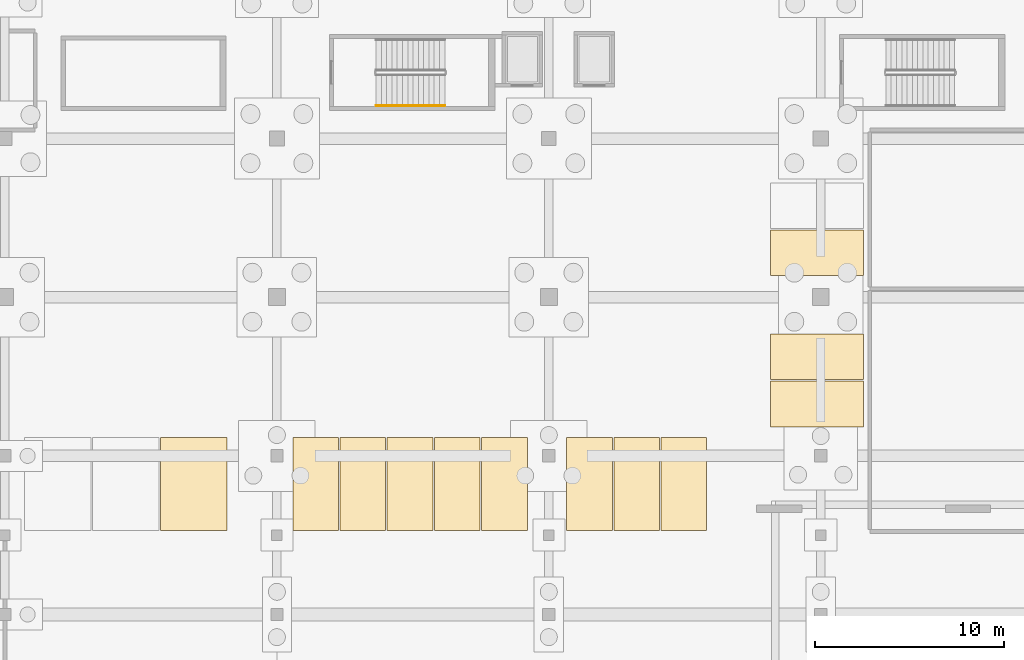
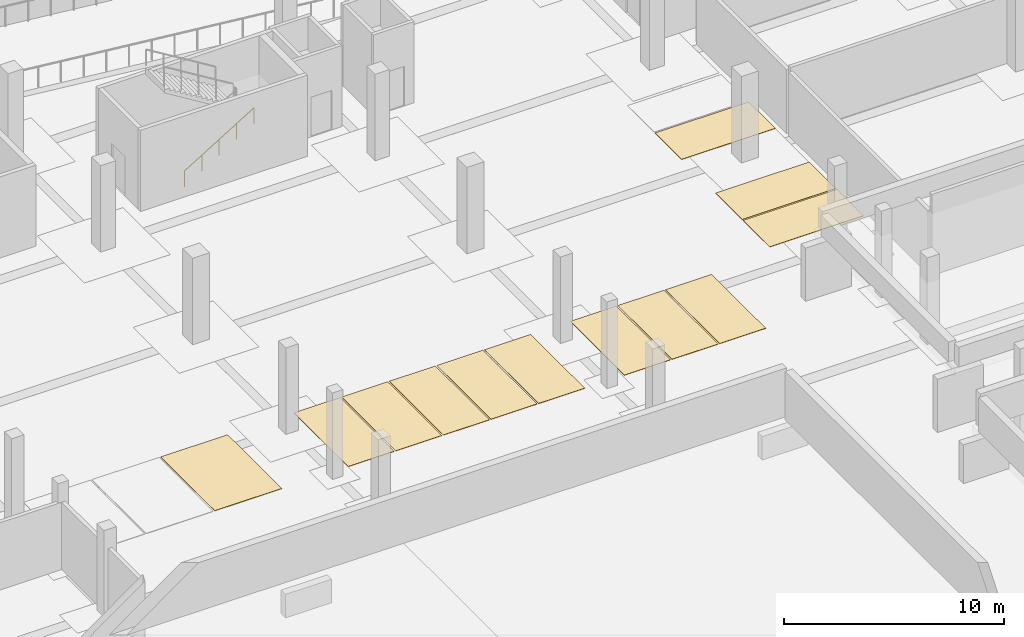
# One storey, part 22 of 26: 12 coverings, 1 railing.
"""IFC4 building model written with IfcOpenShell, lengths in metres."""

from ifc_helpers import new_model, si_unit, direction, frame, origin, origin_2d, place, context, subcontext, project, spatial, polyline, circle, outline, extrude, material, layer, layer_set, type_object, element, save


model = new_model("IFC4")

# Units and contexts
model_context = context("Model", 3, precision=1e-05, world=origin(), true_north=direction((0.0, 1.0)))
body_context = subcontext(model_context, "Body", "Model", "MODEL_VIEW")
ifc_project = project(units=[si_unit("LENGTHUNIT", "METRE"), si_unit("AREAUNIT", "SQUARE_METRE"), si_unit("VOLUMEUNIT", "CUBIC_METRE"), si_unit("PLANEANGLEUNIT", "RADIAN"), si_unit("MASSUNIT", "GRAM", prefix="KILO"), si_unit("THERMODYNAMICTEMPERATUREUNIT", "KELVIN")], contexts=[model_context])

# Site, building, storey
site_placement = place(None, origin())
site = spatial("IfcSite", under=ifc_project, at=site_placement, CompositionType="ELEMENT")
building_placement = place(site_placement, origin())
building = spatial("IfcBuilding", under=site, at=building_placement, Name="Nduvali Passage Aquatics Centre", CompositionType="ELEMENT")
storey_placement = place(building_placement, frame((0.0, 0.0, -4.800048828125)))
storey = spatial("IfcBuildingStorey", under=building, at=storey_placement, Name="B01", CompositionType="ELEMENT", Elevation=-4.800048828125)

# Coverings
ifc_material_1 = material(Name="Epoxy-painted accessible bay marking")
ifc_layer_1 = layer(ifc_material_1, 0.02197265625, Name="Epoxy-painted accessible bay marking")
ifc_layer_set_1 = layer_set([ifc_layer_1], Name="Epoxy-painted accessible bay marking")
covering_type_1 = type_object("IfcCoveringType", Name="INT-COV-PKACC", PredefinedType="USERDEFINED", material=ifc_layer_set_1)
covering_1_placement = place(storey_placement, origin())
element("IfcCovering", 1, at=covering_1_placement, inside=storey, type_object=covering_type_1, Name="B01 Accessible Parking Bay 03 (B01-AP03)", ObjectType="PARKING BAY", PredefinedType="USERDEFINED", context=body_context, shape_type="SweptSolid", body=[
    extrude(outline(polyline([(62.239990234375, 80.0400390625), (65.760009765625, 80.0400390625), (65.760009765625, 84.9599609375), (62.239990234375, 84.9599609375), (62.239990234375, 80.0400390625)])), origin(), (0.0, 0.0, 1.0), 0.02197265625),
])
ifc_material_2 = material(Name="Epoxy-painted concrete bay marking", Category="concrete")
ifc_layer_2 = layer(ifc_material_2, 0.02001953125, Name="Epoxy-painted concrete bay marking")
ifc_layer_set_2 = layer_set([ifc_layer_2], Name="Epoxy-painted concrete bay marking")
covering_type_2 = type_object("IfcCoveringType", Name="INT-COV-PKSTD", PredefinedType="USERDEFINED", material=ifc_layer_set_2)
covering_2_placement = place(storey_placement, origin())
element("IfcCovering", 2, at=covering_2_placement, inside=storey, type_object=covering_type_2, Name="B01 Parking Bay 06 (B01-PK06)", ObjectType="PARKING BAY", PredefinedType="USERDEFINED", context=body_context, shape_type="SweptSolid", body=[
    extrude(outline(polyline([(69.239990234375, 80.0400390625), (71.659912109375, 80.0400390625), (71.659912109375, 84.9599609375), (69.239990234375, 84.9599609375), (69.239990234375, 80.0400390625)])), origin(), (0.0, 0.0, 1.0), 0.02001953125),
])
covering_3_placement = place(storey_placement, origin())
element("IfcCovering", 3, at=covering_3_placement, inside=storey, type_object=covering_type_2, Name="B01 Parking Bay 07 (B01-PK07)", ObjectType="PARKING BAY", PredefinedType="USERDEFINED", context=body_context, shape_type="SweptSolid", body=[
    extrude(outline(polyline([(71.739990234375, 80.0400390625), (74.159912109375, 80.0400390625), (74.159912109375, 84.9599609375), (71.739990234375, 84.9599609375), (71.739990234375, 80.0400390625)])), origin(), (0.0, 0.0, 1.0), 0.02001953125),
])
covering_4_placement = place(storey_placement, origin())
element("IfcCovering", 4, at=covering_4_placement, inside=storey, type_object=covering_type_2, Name="B01 Parking Bay 08 (B01-PK08)", ObjectType="PARKING BAY", PredefinedType="USERDEFINED", context=body_context, shape_type="SweptSolid", body=[
    extrude(outline(polyline([(74.239990234375, 80.0400390625), (76.659912109375, 80.0400390625), (76.659912109375, 84.9599609375), (74.239990234375, 84.9599609375), (74.239990234375, 80.0400390625)])), origin(), (0.0, 0.0, 1.0), 0.02001953125),
])
covering_5_placement = place(storey_placement, origin())
element("IfcCovering", 5, at=covering_5_placement, inside=storey, type_object=covering_type_2, Name="B01 Parking Bay 09 (B01-PK09)", ObjectType="PARKING BAY", PredefinedType="USERDEFINED", context=body_context, shape_type="SweptSolid", body=[
    extrude(outline(polyline([(76.739990234375, 80.0400390625), (79.159912109375, 80.0400390625), (79.159912109375, 84.9599609375), (76.739990234375, 84.9599609375), (76.739990234375, 80.0400390625)])), origin(), (0.0, 0.0, 1.0), 0.02001953125),
])
covering_6_placement = place(storey_placement, origin())
element("IfcCovering", 6, at=covering_6_placement, inside=storey, type_object=covering_type_2, Name="B01 Parking Bay 10 (B01-PK10)", ObjectType="PARKING BAY", PredefinedType="USERDEFINED", context=body_context, shape_type="SweptSolid", body=[
    extrude(outline(polyline([(79.239990234375, 80.0400390625), (81.659912109375, 80.0400390625), (81.659912109375, 84.9599609375), (79.239990234375, 84.9599609375), (79.239990234375, 80.0400390625)])), origin(), (0.0, 0.0, 1.0), 0.02001953125),
])
covering_7_placement = place(storey_placement, origin())
element("IfcCovering", 7, at=covering_7_placement, inside=storey, type_object=covering_type_2, Name="B01 Parking Bay 11 (B01-PK11)", ObjectType="PARKING BAY", PredefinedType="USERDEFINED", context=body_context, shape_type="SweptSolid", body=[
    extrude(outline(polyline([(83.739990234375, 80.0400390625), (86.159912109375, 80.0400390625), (86.159912109375, 84.9599609375), (83.739990234375, 84.9599609375), (83.739990234375, 80.0400390625)])), origin(), (0.0, 0.0, 1.0), 0.02001953125),
])
covering_8_placement = place(storey_placement, origin())
element("IfcCovering", 8, at=covering_8_placement, inside=storey, type_object=covering_type_2, Name="B01 Parking Bay 12 (B01-PK12)", ObjectType="PARKING BAY", PredefinedType="USERDEFINED", context=body_context, shape_type="SweptSolid", body=[
    extrude(outline(polyline([(86.239990234375, 80.0400390625), (88.659912109375, 80.0400390625), (88.659912109375, 84.9599609375), (86.239990234375, 84.9599609375), (86.239990234375, 80.0400390625)])), origin(), (0.0, 0.0, 1.0), 0.02001953125),
])
covering_9_placement = place(storey_placement, origin())
element("IfcCovering", 9, at=covering_9_placement, inside=storey, type_object=covering_type_2, Name="B01 Parking Bay 13 (B01-PK13)", ObjectType="PARKING BAY", PredefinedType="USERDEFINED", context=body_context, shape_type="SweptSolid", body=[
    extrude(outline(polyline([(88.739990234375, 80.0400390625), (91.159912109375, 80.0400390625), (91.159912109375, 84.9599609375), (88.739990234375, 84.9599609375), (88.739990234375, 80.0400390625)])), origin(), (0.0, 0.0, 1.0), 0.02001953125),
])
covering_10_placement = place(storey_placement, origin())
element("IfcCovering", 10, at=covering_10_placement, inside=storey, type_object=covering_type_2, Name="B01 Parking Bay 14 (B01-PK14)", ObjectType="PARKING BAY", PredefinedType="USERDEFINED", context=body_context, shape_type="SweptSolid", body=[
    extrude(outline(polyline([(94.5400390625, 93.5400390625), (99.4599609375, 93.5400390625), (99.4599609375, 95.9599609375), (94.5400390625, 95.9599609375), (94.5400390625, 93.5400390625)])), origin(), (0.0, 0.0, 1.0), 0.02001953125),
])
covering_11_placement = place(storey_placement, origin())
element("IfcCovering", 11, at=covering_11_placement, inside=storey, type_object=covering_type_2, Name="B01 Parking Bay 16 (B01-PK16)", ObjectType="PARKING BAY", PredefinedType="USERDEFINED", context=body_context, shape_type="SweptSolid", body=[
    extrude(outline(polyline([(94.5400390625, 85.5400390625), (99.4599609375, 85.5400390625), (99.4599609375, 87.9599609375), (94.5400390625, 87.9599609375), (94.5400390625, 85.5400390625)])), origin(), (0.0, 0.0, 1.0), 0.02001953125),
])
covering_12_placement = place(storey_placement, origin())
element("IfcCovering", 12, at=covering_12_placement, inside=storey, type_object=covering_type_2, Name="B01 Parking Bay 17 (B01-PK17)", ObjectType="PARKING BAY", PredefinedType="USERDEFINED", context=body_context, shape_type="SweptSolid", body=[
    extrude(outline(polyline([(94.5400390625, 88.0400390625), (99.4599609375, 88.0400390625), (99.4599609375, 90.4599609375), (94.5400390625, 90.4599609375), (94.5400390625, 88.0400390625)])), origin(), (0.0, 0.0, 1.0), 0.02001953125),
])

# Railing
ifc_material_3 = material(Name="Stainless steel balustrade", Category="steel")
railing_type = type_object("IfcRailingType", Name="INT-RLG-HND90", PredefinedType="HANDRAIL", material=ifc_material_3)
railing_placement = place(storey_placement, frame((73.64990234375, 102.550048828125, 0.346435546875)))
element("IfcRailing", 13, at=railing_placement, inside=storey, type_object=railing_type, Name="B01 ST1 stair handrail 1", PredefinedType="HANDRAIL", context=body_context, shape_type="SweptSolid", body=[
    extrude(circle(Radius=0.02392578125, at=origin_2d()), frame((0.0, 0.0, 0.8759765625), z_axis=(0.852865859571, 0.0, 0.52213008492), x_axis=(0.0, 1.0, 0.0)), (0.0, 0.0, 1.0), 4.26806640625),
    extrude(circle(Radius=0.02099609375, at=origin_2d()), origin(), (0.0, 0.0, 1.0), 0.851806640625),
    extrude(circle(Radius=0.02099609375, at=origin_2d()), frame((0.91015625, 0.0, 0.55712890625)), (0.0, 0.0, 1.0), 0.851806640625),
    extrude(circle(Radius=0.02099609375, at=origin_2d()), frame((1.820068359375, 0.0, 1.1142578125)), (0.0, 0.0, 1.0), 0.851806640625),
    extrude(circle(Radius=0.02099609375, at=origin_2d()), frame((2.72998046875, 0.0, 1.67138671875)), (0.0, 0.0, 1.0), 0.851806640625),
    extrude(circle(Radius=0.02099609375, at=origin_2d()), frame((3.64013671875, 0.0, 2.228515625)), (0.0, 0.0, 1.0), 0.851806640625),
])

save(model, "model.ifc")
